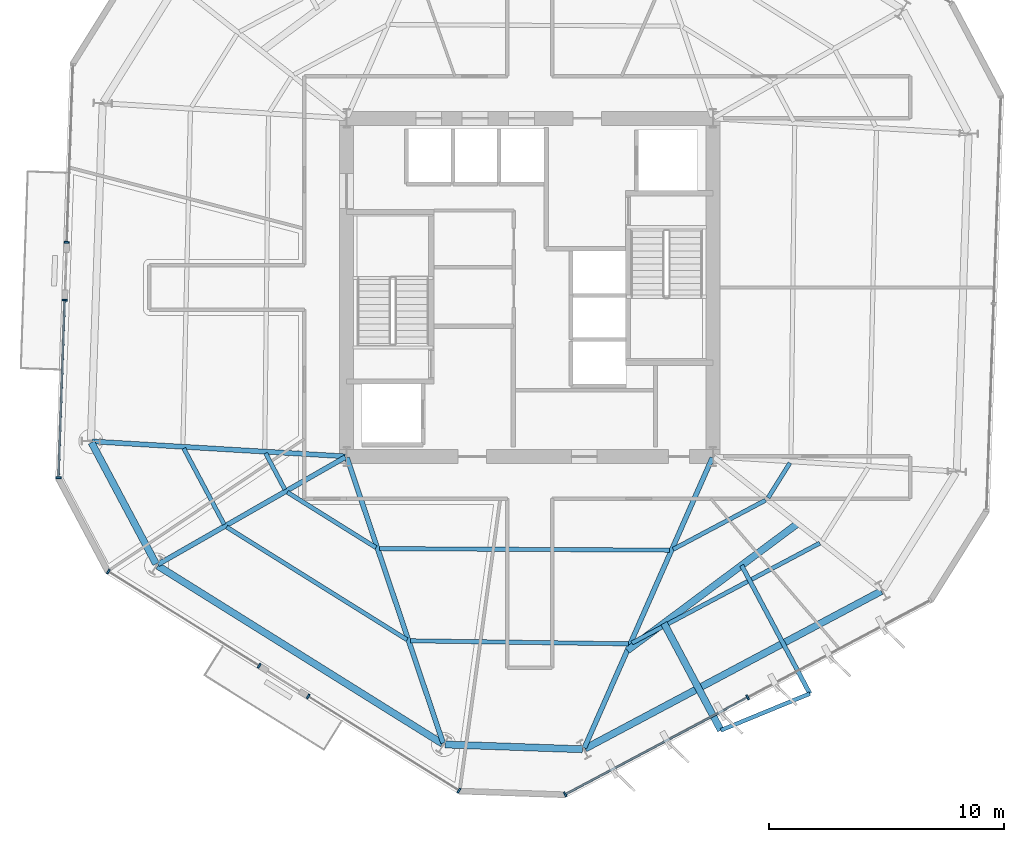
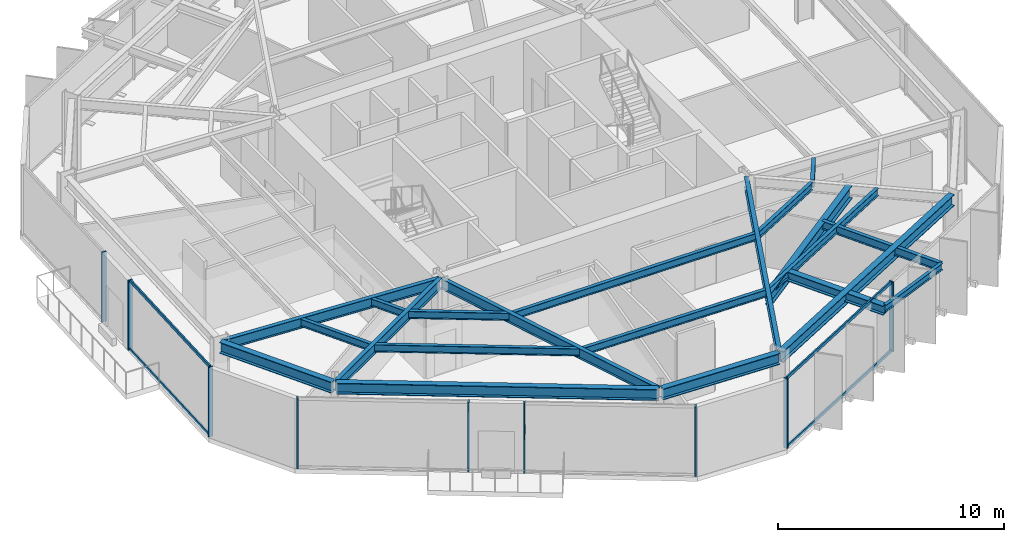
# One storey, part 2 of 12: 21 beams, 13 members, 5 elements without a shape of their own.
"""IFC4 building model written with IfcOpenShell, lengths in metres."""

from ifc_helpers import new_model, si_unit, direction, frame, origin, origin_2d, place, context, subcontext, project, spatial, rectangle, i_section, extrude, material, layer, layer_set, material_profile, profile_set, type_object, element, aggregate, save


model = new_model("IFC4")

# Units and contexts
model_context = context("Model", 3, precision=1e-05, world=origin(), true_north=direction((0.0, 1.0)))
body_context = subcontext(model_context, "Body", "Model", "MODEL_VIEW")
ifc_project = project(units=[si_unit("LENGTHUNIT", "METRE"), si_unit("AREAUNIT", "SQUARE_METRE"), si_unit("VOLUMEUNIT", "CUBIC_METRE"), si_unit("PLANEANGLEUNIT", "RADIAN"), si_unit("MASSUNIT", "GRAM", prefix="KILO")], contexts=[model_context])

# Site, building, storey
site_placement = place(None, origin())
site = spatial("IfcSite", under=ifc_project, at=site_placement, CompositionType="ELEMENT")
building_placement = place(site_placement, origin())
building = spatial("IfcBuilding", under=site, at=building_placement, Name="Kranzbogen Civic Tower", CompositionType="ELEMENT")
storey_placement = place(building_placement, frame((0.0, 0.0, 134.39990234375)))
storey = spatial("IfcBuildingStorey", under=building, at=storey_placement, Name="L32", CompositionType="ELEMENT", Elevation=134.39990234375)

# Beam
ifc_material_1 = material(Name="Steel S355", Category="steel")
ifc_material_profile_1 = material_profile(ifc_material_1, i_section(OverallWidth=0.18994140625, OverallDepth=0.449951171875, WebThickness=0.009521484375, FlangeThickness=0.0146484375, at=origin_2d()), Name="IPE 450")
ifc_profile_set_1 = profile_set([ifc_material_profile_1], Name="Steel S355")
beam_type_1 = type_object("IfcBeamType", Name="Braced Terrace Edge Beam IPE 450", PredefinedType="BEAM", material=ifc_profile_set_1)
beam_1_placement = place(storey_placement, frame((34.02392578125, 13.1630859375, 3.525146484375), z_axis=(0.4695580167, -0.882901619068, 0.0), x_axis=(0.882901619068, 0.4695580167, 0.0)))
element("IfcBeam", 1, at=beam_1_placement, inside=storey, type_object=beam_type_1, Name="L33 back-spanned terrace beam L33-TB2-2", PredefinedType="BEAM", context=body_context, shape_type="SweptSolid", body=[
    extrude(i_section(OverallWidth=0.18994140625, OverallDepth=0.449951171875, WebThickness=0.009521484375, FlangeThickness=0.0146484375, at=origin_2d()), origin(), (0.0, 0.0, 1.0), 6.188720703125),
])

# Curtain wall, member
ifc_material_2 = material(Name="Pale Anodised Aluminium", Category="aluminium")
ifc_layer = layer(ifc_material_2, 0.219970703125, Name="Pale Anodised Aluminium")
ifc_layer_set = layer_set([ifc_layer], Name="Pale Anodised Aluminium")
curtain_wall_type = type_object("IfcCurtainWallType", Name="Zone 2 Stick Curtain Wall System CW-03", PredefinedType="USERDEFINED", material=ifc_layer_set)
curtain_wall_1_placement = place(storey_placement, origin())
curtain_wall_1 = element("IfcCurtainWall", 2, at=curtain_wall_1_placement, inside=storey, type_object=curtain_wall_type, Name="L32 curtain wall CW-L32-F3-S1", ObjectType="STICK CURTAIN WALL", PredefinedType="USERDEFINED")
ifc_material_profile_2 = material_profile(ifc_material_2, rectangle(XDim=0.074951171875, YDim=0.219970703125, at=origin_2d()), Name="ALU-M 75x220")
ifc_profile_set_2 = profile_set([ifc_material_profile_2], Name="Pale Anodised Aluminium")
member_type_1 = type_object("IfcMemberType", Name="Curtain Wall Mullion ALU-M 75x220", PredefinedType="MULLION", material=ifc_profile_set_2)
member_1_placement = place(storey_placement, frame((5.282958984375, 26.9189453125, 0.0), z_axis=(0.0, 0.0, 1.0), x_axis=(-0.034845780392, -0.999392701389, 0.0)))
member_1 = element("IfcMember", 3, at=member_1_placement, type_object=member_type_1, Name="CW-03 mullion 2", PredefinedType="MULLION", context=body_context, shape_type="SweptSolid", body=[
    extrude(rectangle(XDim=0.074951171875, YDim=0.219970703125, at=origin_2d()), origin(), (0.0, 0.0, 1.0), 3.760009765625),
])
aggregate(curtain_wall_1, [member_1])

# Curtain wall, members
curtain_wall_2_placement = place(storey_placement, origin())
curtain_wall_2 = element("IfcCurtainWall", 4, at=curtain_wall_2_placement, inside=storey, type_object=curtain_wall_type, Name="L32 curtain wall CW-L32-F3-S2", ObjectType="STICK CURTAIN WALL", PredefinedType="USERDEFINED")
member_2_placement = place(storey_placement, frame((5.197021484375, 24.4599609375, 0.0), z_axis=(0.0, 0.0, 1.0), x_axis=(-0.034850342982, -0.999392542295, 0.0)))
member_2 = element("IfcMember", 5, at=member_2_placement, type_object=member_type_1, Name="CW-03 mullion 1", PredefinedType="MULLION", context=body_context, shape_type="SweptSolid", body=[
    extrude(rectangle(XDim=0.074951171875, YDim=0.219970703125, at=origin_2d()), origin(), (0.0, 0.0, 1.0), 3.760009765625),
])
member_3_placement = place(storey_placement, frame((4.93310546875, 16.89208984375, 0.0), z_axis=(0.0, 0.0, 1.0), x_axis=(-0.034850342982, -0.999392542295, 0.0)))
member_3 = element("IfcMember", 6, at=member_3_placement, type_object=member_type_1, Name="CW-03 mullion 2", PredefinedType="MULLION", context=body_context, shape_type="SweptSolid", body=[
    extrude(rectangle(XDim=0.074951171875, YDim=0.219970703125, at=origin_2d()), origin(), (0.0, 0.0, 1.0), 3.760009765625),
])

curtain_wall_3_placement = place(storey_placement, origin())
curtain_wall_3 = element("IfcCurtainWall", 7, at=curtain_wall_3_placement, inside=storey, type_object=curtain_wall_type, Name="L32 curtain wall CW-L32-F4-S1", ObjectType="STICK CURTAIN WALL", PredefinedType="USERDEFINED")
member_4_placement = place(storey_placement, frame((7.055419921875, 12.897216796875, 0.0), z_axis=(0.0, 0.0, 1.0), x_axis=(0.848071889421, -0.529881185148, 0.0)))
member_4 = element("IfcMember", 8, at=member_4_placement, type_object=member_type_1, Name="CW-03 mullion 1", PredefinedType="MULLION", context=body_context, shape_type="SweptSolid", body=[
    extrude(rectangle(XDim=0.074951171875, YDim=0.219970703125, at=origin_2d()), origin(), (0.0, 0.0, 1.0), 3.760009765625),
])
member_5_placement = place(storey_placement, frame((13.478515625, 8.8837890625, 0.0), z_axis=(0.0, 0.0, 1.0), x_axis=(0.848071889421, -0.529881185148, 0.0)))
member_5 = element("IfcMember", 9, at=member_5_placement, type_object=member_type_1, Name="CW-03 mullion 2", PredefinedType="MULLION", context=body_context, shape_type="SweptSolid", body=[
    extrude(rectangle(XDim=0.074951171875, YDim=0.219970703125, at=origin_2d()), origin(), (0.0, 0.0, 1.0), 3.760009765625),
])
aggregate(curtain_wall_3, [member_4, member_5])

curtain_wall_4_placement = place(storey_placement, origin())
curtain_wall_4 = element("IfcCurtainWall", 10, at=curtain_wall_4_placement, inside=storey, type_object=curtain_wall_type, Name="L32 curtain wall CW-L32-F4-S2", ObjectType="STICK CURTAIN WALL", PredefinedType="USERDEFINED")
member_6_placement = place(storey_placement, frame((15.564453125, 7.580078125, 0.0), z_axis=(0.0, 0.0, 1.0), x_axis=(0.84810866373, -0.529822323525, 0.0)))
member_6 = element("IfcMember", 11, at=member_6_placement, type_object=member_type_1, Name="CW-03 mullion 1", PredefinedType="MULLION", context=body_context, shape_type="SweptSolid", body=[
    extrude(rectangle(XDim=0.074951171875, YDim=0.219970703125, at=origin_2d()), origin(), (0.0, 0.0, 1.0), 3.760009765625),
])
member_7_placement = place(storey_placement, frame((21.988525390625, 3.56689453125, 0.0), z_axis=(0.0, 0.0, 1.0), x_axis=(0.84810866373, -0.529822323525, 0.0)))
member_7 = element("IfcMember", 12, at=member_7_placement, type_object=member_type_1, Name="CW-03 mullion 2", PredefinedType="MULLION", context=body_context, shape_type="SweptSolid", body=[
    extrude(rectangle(XDim=0.074951171875, YDim=0.219970703125, at=origin_2d()), origin(), (0.0, 0.0, 1.0), 3.760009765625),
])
aggregate(curtain_wall_4, [member_6, member_7])

curtain_wall_5_placement = place(storey_placement, origin())
curtain_wall_5 = element("IfcCurtainWall", 13, at=curtain_wall_5_placement, inside=storey, type_object=curtain_wall_type, Name="L32 curtain wall CW-L32-F5", ObjectType="STICK CURTAIN WALL", PredefinedType="USERDEFINED")
member_8_placement = place(storey_placement, frame((26.508544921875, 3.4091796875, 0.0), z_axis=(0.0, 0.0, 1.0), x_axis=(0.882952257691, 0.469462789408, 0.0)))
member_8 = element("IfcMember", 14, at=member_8_placement, type_object=member_type_1, Name="CW-03 mullion 1", PredefinedType="MULLION", context=body_context, shape_type="SweptSolid", body=[
    extrude(rectangle(XDim=0.074951171875, YDim=0.219970703125, at=origin_2d()), origin(), (0.0, 0.0, 1.0), 3.760009765625),
])
member_9_placement = place(storey_placement, frame((34.282470703125, 7.54248046875, 0.0), z_axis=(0.0, 0.0, 1.0), x_axis=(0.882952257691, 0.469462789408, 0.0)))
member_9 = element("IfcMember", 15, at=member_9_placement, type_object=member_type_1, Name="CW-03 mullion 2", PredefinedType="MULLION", context=body_context, shape_type="SweptSolid", body=[
    extrude(rectangle(XDim=0.074951171875, YDim=0.219970703125, at=origin_2d()), origin(), (0.0, 0.0, 1.0), 3.760009765625),
])

# Member
ifc_material_profile_3 = material_profile(ifc_material_2, rectangle(XDim=0.074951171875, YDim=0.1650390625, at=origin_2d()), Name="ALU-T 75x165")
ifc_profile_set_3 = profile_set([ifc_material_profile_3], Name="Pale Anodised Aluminium")
member_type_2 = type_object("IfcMemberType", Name="Curtain Wall Transom ALU-T 75x165", PredefinedType="USERDEFINED", material=ifc_profile_set_3)
member_10_placement = place(storey_placement, frame((5.19580078125, 24.429931640625, 0.030029296875), z_axis=(-0.034837228742, -0.999392999522, 0.0), x_axis=(0.999392999522, -0.034837228742, 0.0)))
member_10 = element("IfcMember", 16, at=member_10_placement, type_object=member_type_2, Name="CW-03 transom 1.1", ObjectType="TRANSOM", PredefinedType="USERDEFINED", context=body_context, shape_type="SweptSolid", body=[
    extrude(rectangle(XDim=0.074951171875, YDim=0.1650390625, at=origin_2d()), origin(), (0.0, 0.0, 1.0), 7.5126953125),
])

member_11_placement = place(storey_placement, frame((5.19580078125, 24.429931640625, 3.72998046875), z_axis=(-0.034837228742, -0.999392999522, 0.0), x_axis=(0.999392999522, -0.034837228742, 0.0)))
member_11 = element("IfcMember", 17, at=member_11_placement, type_object=member_type_2, Name="CW-03 transom 1.2", ObjectType="TRANSOM", PredefinedType="USERDEFINED", context=body_context, shape_type="SweptSolid", body=[
    extrude(rectangle(XDim=0.074951171875, YDim=0.1650390625, at=origin_2d()), origin(), (0.0, 0.0, 1.0), 7.5126953125),
])

aggregate(curtain_wall_2, [member_2, member_3, member_10, member_11])

member_12_placement = place(storey_placement, frame((26.534912109375, 3.423095703125, 0.030029296875), z_axis=(0.882957342615, 0.469453225703, 0.0), x_axis=(-0.469453225703, 0.882957342615, 0.0)))
member_12 = element("IfcMember", 18, at=member_12_placement, type_object=member_type_2, Name="CW-03 transom 1.1", ObjectType="TRANSOM", PredefinedType="USERDEFINED", context=body_context, shape_type="SweptSolid", body=[
    extrude(rectangle(XDim=0.074951171875, YDim=0.1650390625, at=origin_2d()), origin(), (0.0, 0.0, 1.0), 8.74462890625),
])

member_13_placement = place(storey_placement, frame((26.534912109375, 3.423095703125, 3.72998046875), z_axis=(0.882957342615, 0.469453225703, 0.0), x_axis=(-0.469453225703, 0.882957342615, 0.0)))
member_13 = element("IfcMember", 19, at=member_13_placement, type_object=member_type_2, Name="CW-03 transom 1.2", ObjectType="TRANSOM", PredefinedType="USERDEFINED", context=body_context, shape_type="SweptSolid", body=[
    extrude(rectangle(XDim=0.074951171875, YDim=0.1650390625, at=origin_2d()), origin(), (0.0, 0.0, 1.0), 8.74462890625),
])

aggregate(curtain_wall_5, [member_8, member_9, member_12, member_13])

# Beams
ifc_material_profile_4 = material_profile(ifc_material_1, i_section(OverallWidth=0.300048828125, OverallDepth=0.5, WebThickness=0.014404296875, FlangeThickness=0.028076171875, at=origin_2d()), Name="HEB 500")
ifc_profile_set_4 = profile_set([ifc_material_profile_4], Name="Steel S355")
beam_type_2 = type_object("IfcBeamType", Name="Perimeter Tube Spandrel Beam HEB 500", PredefinedType="SPANDREL", material=ifc_profile_set_4)
beam_2_placement = place(storey_placement, frame((30.715087890625, 10.697998046875, 3.5), z_axis=(0.469351085463, -0.883011641245, 0.0), x_axis=(0.883011641245, 0.469351085463, 0.0)))
element("IfcBeam", 20, at=beam_2_placement, inside=storey, type_object=beam_type_2, Name="L33 back-spanned terrace beam L33-TB2-1", PredefinedType="SPANDREL", context=body_context, shape_type="SweptSolid", body=[
    extrude(i_section(OverallWidth=0.300048828125, OverallDepth=0.5, WebThickness=0.014404296875, FlangeThickness=0.028076171875, at=origin_2d()), origin(), (0.0, 0.0, 1.0), 5.164306640625),
])
ifc_material_profile_5 = material_profile(ifc_material_1, i_section(OverallWidth=0.300048828125, OverallDepth=0.60009765625, WebThickness=0.015380859375, FlangeThickness=0.030029296875, at=origin_2d()), Name="HEB 600")
ifc_profile_set_5 = profile_set([ifc_material_profile_5], Name="Steel S355")
beam_type_3 = type_object("IfcBeamType", Name="Perimeter Tube Spandrel Beam HEB 600", PredefinedType="SPANDREL", material=ifc_profile_set_5)
beam_3_placement = place(storey_placement, frame((6.337890625, 18.39111328125, 3.460205078125), z_axis=(0.469565926668, -0.882897412224, 0.0), x_axis=(0.882897412224, 0.469565926668, 0.0)))
element("IfcBeam", 21, at=beam_3_placement, inside=storey, type_object=beam_type_3, Name="L32 perimeter spandrel beam 01", PredefinedType="SPANDREL", context=body_context, shape_type="SweptSolid", body=[
    extrude(i_section(OverallWidth=0.300048828125, OverallDepth=0.60009765625, WebThickness=0.015380859375, FlangeThickness=0.030029296875, at=origin_2d()), origin(), (0.0, 0.0, 1.0), 5.852294921875),
])
beam_4_placement = place(storey_placement, frame((9.1650390625, 13.138916015625, 3.460205078125), z_axis=(0.848051101349, -0.52991445489, 0.0), x_axis=(0.52991445489, 0.848051101349, 0.0)))
element("IfcBeam", 22, at=beam_4_placement, inside=storey, type_object=beam_type_3, Name="L32 perimeter spandrel beam 02", PredefinedType="SPANDREL", context=body_context, shape_type="SweptSolid", body=[
    extrude(i_section(OverallWidth=0.300048828125, OverallDepth=0.60009765625, WebThickness=0.015380859375, FlangeThickness=0.030029296875, at=origin_2d()), origin(), (0.0, 0.0, 1.0), 14.286865234375),
])
beam_5_placement = place(storey_placement, frame((21.39208984375, 5.533935546875, 3.460205078125), z_axis=(0.999393148233, -0.03483296234, 0.0), x_axis=(0.03483296234, 0.999393148233, 0.0)))
element("IfcBeam", 23, at=beam_5_placement, inside=storey, type_object=beam_type_3, Name="L32 perimeter spandrel beam 03", PredefinedType="SPANDREL", context=body_context, shape_type="SweptSolid", body=[
    extrude(i_section(OverallWidth=0.300048828125, OverallDepth=0.60009765625, WebThickness=0.015380859375, FlangeThickness=0.030029296875, at=origin_2d()), origin(), (0.0, 0.0, 1.0), 5.8525390625),
])
beam_6_placement = place(storey_placement, frame((27.35400390625, 5.35595703125, 3.460205078125), z_axis=(0.882948194046, 0.469470432116, 0.0), x_axis=(-0.469470432116, 0.882948194046, 0.0)))
element("IfcBeam", 24, at=beam_6_placement, inside=storey, type_object=beam_type_3, Name="L32 perimeter spandrel beam 04", PredefinedType="SPANDREL", context=body_context, shape_type="SweptSolid", body=[
    extrude(i_section(OverallWidth=0.300048828125, OverallDepth=0.60009765625, WebThickness=0.015380859375, FlangeThickness=0.030029296875, at=origin_2d()), origin(), (0.0, 0.0, 1.0), 14.28857421875),
])
ifc_material_profile_6 = material_profile(ifc_material_1, i_section(OverallWidth=0.300048828125, OverallDepth=0.699951171875, WebThickness=0.01708984375, FlangeThickness=0.031982421875, at=origin_2d()), Name="HEB 700")
ifc_profile_set_6 = profile_set([ifc_material_profile_6], Name="Steel S355")
beam_type_4 = type_object("IfcBeamType", Name="Perimeter Tube Spandrel Beam HEB 700", PredefinedType="SPANDREL", material=ifc_profile_set_6)
beam_7_placement = place(storey_placement, frame((29.156982421875, 9.537109375, 3.400146484375), z_axis=(0.801896259305, 0.597463295369, 0.0), x_axis=(-0.597463295369, 0.801896259305, 0.0)))
element("IfcBeam", 25, at=beam_7_placement, inside=storey, type_object=beam_type_4, Name="L33 balcony back-span header girder L33-TB2", PredefinedType="SPANDREL", context=body_context, shape_type="SweptSolid", body=[
    extrude(i_section(OverallWidth=0.300048828125, OverallDepth=0.699951171875, WebThickness=0.01708984375, FlangeThickness=0.031982421875, at=origin_2d()), origin(), (0.0, 0.0, 1.0), 9.0498046875),
])
ifc_material_profile_7 = material_profile(ifc_material_1, i_section(OverallWidth=0.2099609375, OverallDepth=0.550048828125, WebThickness=0.010986328125, FlangeThickness=0.01708984375, at=origin_2d()), Name="IPE 550")
ifc_profile_set_7 = profile_set([ifc_material_profile_7], Name="Steel S355")
beam_type_5 = type_object("IfcBeamType", Name="Radial Tower Floor Girder IPE 550", PredefinedType="BEAM", material=ifc_profile_set_7)
beam_8_placement = place(storey_placement, frame((6.3701171875, 18.43994140625, 3.485107421875), z_axis=(0.998260925387, -0.058950189528, 0.0), x_axis=(0.058950189528, 0.998260925387, 0.0)))
element("IfcBeam", 26, at=beam_8_placement, inside=storey, type_object=beam_type_5, Name="L32 radial floor girder 01", PredefinedType="BEAM", context=body_context, shape_type="SweptSolid", body=[
    extrude(i_section(OverallWidth=0.2099609375, OverallDepth=0.550048828125, WebThickness=0.010986328125, FlangeThickness=0.01708984375, at=origin_2d()), origin(), (0.0, 0.0, 1.0), 10.78857421875),
])
beam_9_placement = place(storey_placement, frame((9.166015625, 13.200927734375, 3.485107421875), z_axis=(0.867868812182, 0.496793442833, 0.0), x_axis=(-0.496793442833, 0.867868812182, 0.0)))
element("IfcBeam", 27, at=beam_9_placement, inside=storey, type_object=beam_type_5, Name="L32 radial floor girder 02", PredefinedType="BEAM", context=body_context, shape_type="SweptSolid", body=[
    extrude(i_section(OverallWidth=0.2099609375, OverallDepth=0.550048828125, WebThickness=0.010986328125, FlangeThickness=0.01708984375, at=origin_2d()), origin(), (0.0, 0.0, 1.0), 9.197265625),
])
beam_10_placement = place(storey_placement, frame((21.31298828125, 5.593017578125, 3.485107421875), z_axis=(-0.319316617377, 0.947648087566, 0.0), x_axis=(-0.947648087566, -0.319316617377, 0.0)))
element("IfcBeam", 28, at=beam_10_placement, inside=storey, type_object=beam_type_5, Name="L32 radial floor girder 03", PredefinedType="BEAM", context=body_context, shape_type="SweptSolid", body=[
    extrude(i_section(OverallWidth=0.2099609375, OverallDepth=0.550048828125, WebThickness=0.010986328125, FlangeThickness=0.01708984375, at=origin_2d()), origin(), (0.0, 0.0, 1.0), 12.821044921875),
])
beam_11_placement = place(storey_placement, frame((27.324951171875, 5.383056640625, 3.485107421875), z_axis=(0.403459127705, 0.914997667905, 0.0), x_axis=(-0.914997667905, 0.403459127705, 0.0)))
element("IfcBeam", 29, at=beam_11_placement, inside=storey, type_object=beam_type_5, Name="L32 radial floor girder 04", PredefinedType="BEAM", context=body_context, shape_type="SweptSolid", body=[
    extrude(i_section(OverallWidth=0.2099609375, OverallDepth=0.550048828125, WebThickness=0.010986328125, FlangeThickness=0.01708984375, at=origin_2d()), origin(), (0.0, 0.0, 1.0), 13.510498046875),
])
ifc_material_profile_8 = material_profile(ifc_material_1, i_section(OverallWidth=0.169921875, OverallDepth=0.360107421875, WebThickness=0.008056640625, FlangeThickness=0.0126953125, at=origin_2d()), Name="IPE 360")
ifc_profile_set_8 = profile_set([ifc_material_profile_8], Name="Steel S355")
beam_type_6 = type_object("IfcBeamType", Name="Secondary Composite Floor Joist IPE 360", PredefinedType="JOIST", material=ifc_profile_set_8)
beam_12_placement = place(storey_placement, frame((33.138916015625, 6.137939453125, 3.570068359375), z_axis=(0.924675631932, 0.380755795374, 0.0), x_axis=(-0.380755795374, 0.924675631932, 0.0)))
element("IfcBeam", 30, at=beam_12_placement, inside=storey, type_object=beam_type_6, Name="L33 terrace outer edge trimmer L33-TB2", PredefinedType="JOIST", context=body_context, shape_type="SweptSolid", body=[
    extrude(i_section(OverallWidth=0.169921875, OverallDepth=0.360107421875, WebThickness=0.008056640625, FlangeThickness=0.0126953125, at=origin_2d()), origin(), (0.0, 0.0, 1.0), 4.099853515625),
])
ifc_material_profile_9 = material_profile(ifc_material_1, i_section(OverallWidth=0.179931640625, OverallDepth=0.39990234375, WebThickness=0.008544921875, FlangeThickness=0.013427734375, at=origin_2d()), Name="IPE 400")
ifc_profile_set_9 = profile_set([ifc_material_profile_9], Name="Steel S355")
beam_type_7 = type_object("IfcBeamType", Name="Secondary Composite Floor Joist IPE 400", PredefinedType="JOIST", material=ifc_profile_set_9)
beam_13_placement = place(storey_placement, frame((10.26806640625, 18.14208984375, 3.56005859375), z_axis=(0.469338791783, -0.88301817565, 0.0), x_axis=(0.88301817565, 0.469338791783, 0.0)))
element("IfcBeam", 31, at=beam_13_placement, inside=storey, type_object=beam_type_7, Name="L32 secondary floor joist 1.01", PredefinedType="JOIST", context=body_context, shape_type="SweptSolid", body=[
    extrude(i_section(OverallWidth=0.179931640625, OverallDepth=0.39990234375, WebThickness=0.008544921875, FlangeThickness=0.013427734375, at=origin_2d()), origin(), (0.0, 0.0, 1.0), 3.66259765625),
])
beam_14_placement = place(storey_placement, frame((13.7529296875, 17.93505859375, 3.56005859375), z_axis=(0.46943723363, -0.882965845139, 0.0), x_axis=(0.882965845139, 0.46943723363, 0.0)))
element("IfcBeam", 32, at=beam_14_placement, inside=storey, type_object=beam_type_7, Name="L32 secondary floor joist 2.01", PredefinedType="JOIST", context=body_context, shape_type="SweptSolid", body=[
    extrude(i_section(OverallWidth=0.179931640625, OverallDepth=0.39990234375, WebThickness=0.008544921875, FlangeThickness=0.013427734375, at=origin_2d()), origin(), (0.0, 0.0, 1.0), 1.7509765625),
])
beam_15_placement = place(storey_placement, frame((12.093017578125, 14.794921875, 3.56005859375), z_axis=(0.848025549308, -0.529955345026, 0.0), x_axis=(0.529955345026, 0.848025549308, 0.0)))
element("IfcBeam", 33, at=beam_15_placement, inside=storey, type_object=beam_type_7, Name="L32 secondary floor joist 1.02", PredefinedType="JOIST", context=body_context, shape_type="SweptSolid", body=[
    extrude(i_section(OverallWidth=0.179931640625, OverallDepth=0.39990234375, WebThickness=0.008544921875, FlangeThickness=0.013427734375, at=origin_2d()), origin(), (0.0, 0.0, 1.0), 9.06103515625),
])
beam_16_placement = place(storey_placement, frame((14.679931640625, 16.27587890625, 3.56005859375), z_axis=(0.848093834398, -0.529846060716, 0.0), x_axis=(0.529846060716, 0.848093834398, 0.0)))
element("IfcBeam", 34, at=beam_16_placement, inside=storey, type_object=beam_type_7, Name="L32 secondary floor joist 2.02", PredefinedType="JOIST", context=body_context, shape_type="SweptSolid", body=[
    extrude(i_section(OverallWidth=0.179931640625, OverallDepth=0.39990234375, WebThickness=0.008544921875, FlangeThickness=0.013427734375, at=origin_2d()), origin(), (0.0, 0.0, 1.0), 4.4501953125),
])
beam_17_placement = place(storey_placement, frame((19.924072265625, 9.949951171875, 3.56005859375), z_axis=(0.999900525148, -0.014104602386, 0.0), x_axis=(0.014104602386, 0.999900525148, 0.0)))
element("IfcBeam", 35, at=beam_17_placement, inside=storey, type_object=beam_type_7, Name="L32 secondary floor joist 1.03", PredefinedType="JOIST", context=body_context, shape_type="SweptSolid", body=[
    extrude(i_section(OverallWidth=0.179931640625, OverallDepth=0.39990234375, WebThickness=0.008544921875, FlangeThickness=0.013427734375, at=origin_2d()), origin(), (0.0, 0.0, 1.0), 9.27783203125),
])
beam_18_placement = place(storey_placement, frame((18.60205078125, 13.875, 3.56005859375), z_axis=(0.999985774147, -0.005333995002, 0.0), x_axis=(0.005333995002, 0.999985774147, 0.0)))
element("IfcBeam", 36, at=beam_18_placement, inside=storey, type_object=beam_type_7, Name="L32 secondary floor joist 2.03", PredefinedType="JOIST", context=body_context, shape_type="SweptSolid", body=[
    extrude(i_section(OverallWidth=0.179931640625, OverallDepth=0.39990234375, WebThickness=0.008544921875, FlangeThickness=0.013427734375, at=origin_2d()), origin(), (0.0, 0.0, 1.0), 12.358154296875),
])
beam_19_placement = place(storey_placement, frame((29.35107421875, 9.85498046875, 3.56005859375), z_axis=(0.882960787661, 0.469446746131, 0.0), x_axis=(-0.469446746131, 0.882960787661, 0.0)))
element("IfcBeam", 37, at=beam_19_placement, inside=storey, type_object=beam_type_7, Name="L32 secondary floor joist 1.04", PredefinedType="JOIST", context=body_context, shape_type="SweptSolid", body=[
    extrude(i_section(OverallWidth=0.179931640625, OverallDepth=0.39990234375, WebThickness=0.008544921875, FlangeThickness=0.013427734375, at=origin_2d()), origin(), (0.0, 0.0, 1.0), 9.0615234375),
])
beam_20_placement = place(storey_placement, frame((31.111083984375, 13.846923828125, 3.56005859375), z_axis=(0.882991399158, 0.469389165844, 0.0), x_axis=(-0.469389165844, 0.882991399158, 0.0)))
element("IfcBeam", 38, at=beam_20_placement, inside=storey, type_object=beam_type_7, Name="L32 secondary floor joist 2.04", PredefinedType="JOIST", context=body_context, shape_type="SweptSolid", body=[
    extrude(i_section(OverallWidth=0.179931640625, OverallDepth=0.39990234375, WebThickness=0.008544921875, FlangeThickness=0.013427734375, at=origin_2d()), origin(), (0.0, 0.0, 1.0), 4.45068359375),
])
beam_21_placement = place(storey_placement, frame((35.154052734375, 16.041015625, 3.56005859375), z_axis=(0.529572623603, 0.84826460278, 0.0), x_axis=(-0.84826460278, 0.529572623603, 0.0)))
element("IfcBeam", 39, at=beam_21_placement, inside=storey, type_object=beam_type_7, Name="L32 secondary floor joist 2.05", PredefinedType="JOIST", context=body_context, shape_type="SweptSolid", body=[
    extrude(i_section(OverallWidth=0.179931640625, OverallDepth=0.39990234375, WebThickness=0.008544921875, FlangeThickness=0.013427734375, at=origin_2d()), origin(), (0.0, 0.0, 1.0), 1.75048828125),
])

save(model, "model.ifc")
